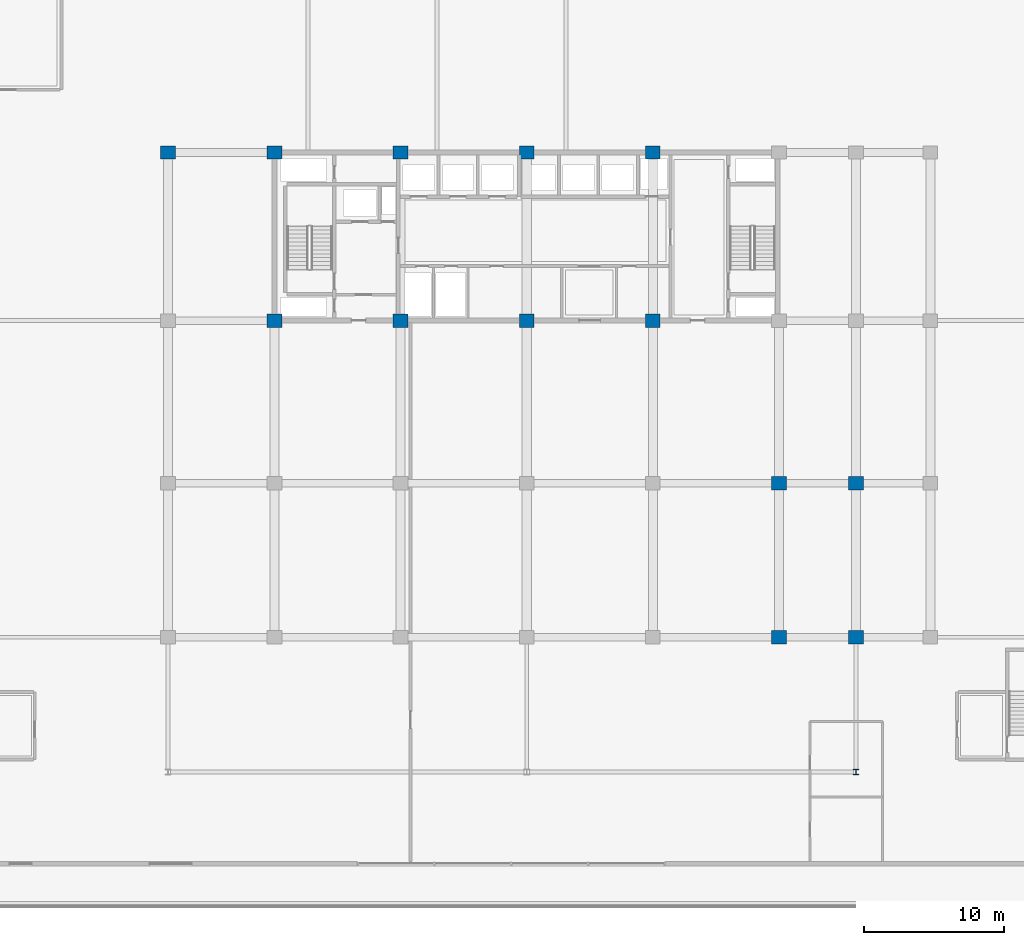
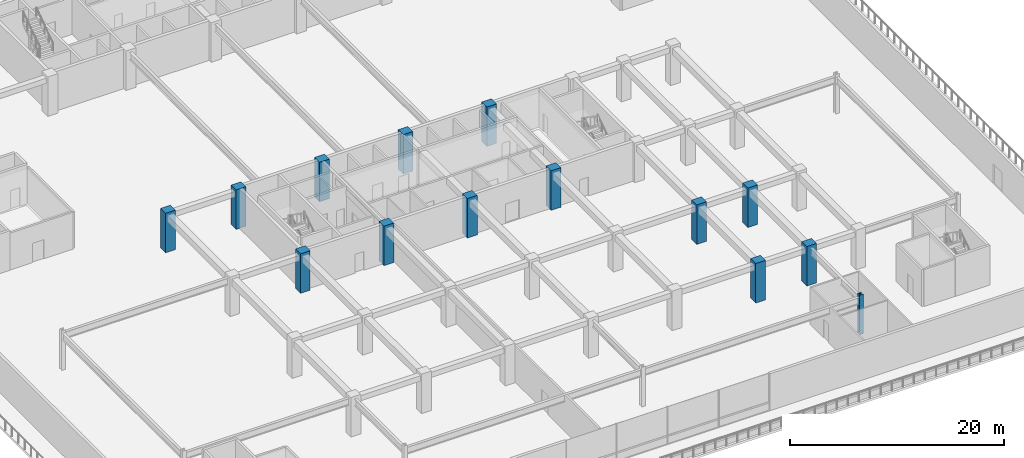
# One storey, part 2 of 43: 14 columns.
"""IFC4 building model written with IfcOpenShell, lengths in metres."""

from ifc_helpers import new_model, si_unit, direction, frame, origin, origin_2d, place, context, subcontext, project, spatial, rectangle, i_section, extrude, material, material_profile, profile_set, type_object, element, save


model = new_model("IFC4")

# Units and contexts
model_context = context("Model", 3, precision=1e-05, world=origin(), true_north=direction((0.0, 1.0)))
body_context = subcontext(model_context, "Body", "Model", "MODEL_VIEW")
ifc_project = project(units=[si_unit("LENGTHUNIT", "METRE"), si_unit("AREAUNIT", "SQUARE_METRE"), si_unit("VOLUMEUNIT", "CUBIC_METRE"), si_unit("PLANEANGLEUNIT", "RADIAN"), si_unit("MASSUNIT", "GRAM", prefix="KILO")], contexts=[model_context])

# Site, building, storey
site_placement = place(None, origin())
site = spatial("IfcSite", under=ifc_project, at=site_placement, CompositionType="ELEMENT")
building_placement = place(site_placement, origin())
building = spatial("IfcBuilding", under=site, at=building_placement, Name="Korimba Cascade Residences", CompositionType="ELEMENT")
storey_placement = place(building_placement, frame((0.0, 0.0, 10.0)))
storey = spatial("IfcBuildingStorey", under=building, at=storey_placement, Name="L02", CompositionType="ELEMENT", Elevation=10.0)

# Columns
ifc_material_1 = material(Name="Concrete C80/95", Category="concrete")
ifc_material_profile_1 = material_profile(ifc_material_1, rectangle(XDim=1.050048828125, YDim=0.949951171875, at=origin_2d()), Name="Concrete C80/95")
ifc_profile_set_1 = profile_set([ifc_material_profile_1], Name="Concrete C80/95")
column_type_1 = type_object("IfcColumnType", Name="COL-RC-1050", PredefinedType="COLUMN", material=ifc_profile_set_1)
for number, where, z_axis, x_axis, name in (
    (1, (74.5, 30.39990234375, 0.0), (0.0, 0.0, 1.0), (1.0, 0.0, 0.0), "L02 Tower 2 Column 1.4"),
    (2, (82.10009765625, 18.39990234375, 0.0), (0.0, 0.0, 1.0), (1.0, 0.0, 0.0), "L02 Tower 2 Column 2.3"),
    (3, (82.10009765625, 30.39990234375, 0.0), (0.0, 0.0, 1.0), (1.0, 0.0, 0.0), "L02 Tower 2 Column 2.4"),
    (4, (91.10009765625, 18.39990234375, 0.0), (0.0, 0.0, 1.0), (1.0, 0.0, 0.0), "L02 Tower 2 Column 3.3"),
    (5, (91.10009765625, 30.39990234375, 0.0), (0.0, 0.0, 1.0), (1.0, 0.0, 0.0), "L02 Tower 2 Column 3.4"),
    (6, (100.10009765625, 18.39990234375, 0.0), (0.0, 0.0, 1.0), (1.0, 0.0, 0.0), "L02 Tower 2 Column 4.3"),
    (7, (100.10009765625, 30.39990234375, 0.0), (0.0, 0.0, 1.0), (1.0, 0.0, 0.0), "L02 Tower 2 Column 4.4"),
    (8, (109.10009765625, 18.39990234375, 0.0), (0.0, 0.0, 1.0), (1.0, 0.0, 0.0), "L02 Tower 2 Column 5.3"),
    (9, (109.10009765625, 30.39990234375, 0.0), (0.0, 0.0, 1.0), (1.0, 0.0, 0.0), "L02 Tower 2 Column 5.4"),
    (10, (118.10009765625, -4.199951171875, 0.0), (0.0, 0.0, 1.0), (1.0, 0.0, 0.0), "L02 Tower 2 Column 6.1"),
    (11, (118.10009765625, 6.800048828125, 0.0), (0.0, 0.0, 1.0), (1.0, 0.0, 0.0), "L02 Tower 2 Column 6.2"),
    (12, (123.60009765625, -4.199951171875, 0.0), (0.0, 0.0, 1.0), (1.0, 0.0, 0.0), "L02 Tower 2 Column 7.1"),
    (13, (123.60009765625, 6.800048828125, 0.0), (0.0, 0.0, 1.0), (1.0, 0.0, 0.0), "L02 Tower 2 Column 7.2"),
):
    element("IfcColumn", number, at=place(storey_placement, frame(where, z_axis=z_axis, x_axis=x_axis)), inside=storey, type_object=column_type_1, Name=name, PredefinedType="COLUMN", context=body_context, shape_type="SweptSolid", body=[
        extrude(rectangle(XDim=1.050048828125, YDim=0.949951171875, at=origin_2d()), origin(), (0.0, 0.0, 1.0), 4.5),
    ])
ifc_material_2 = material(Name="Steel S355", Category="steel")
ifc_material_profile_2 = material_profile(ifc_material_2, i_section(OverallWidth=0.39892578125, OverallDepth=0.3935546875, WebThickness=0.022705078125, FlangeThickness=0.03662109375, FilletRadius=0.01513671875, at=origin_2d()), Name="Steel S355")
ifc_profile_set_2 = profile_set([ifc_material_profile_2], Name="Steel S355")
column_type_2 = type_object("IfcColumnType", Name="COL-STL-UC287", PredefinedType="COLUMN", material=ifc_profile_set_2)
column_placement = place(storey_placement, frame((123.60009765625, -13.800048828125, 0.0), z_axis=(0.0, 0.0, 1.0), x_axis=(1.0, 0.0, 0.0)))
element("IfcColumn", 14, at=column_placement, inside=storey, type_object=column_type_2, Name="L02 Podium Column PCS3", PredefinedType="COLUMN", context=body_context, shape_type="SweptSolid", body=[
    extrude(i_section(OverallWidth=0.39892578125, OverallDepth=0.3935546875, WebThickness=0.022705078125, FlangeThickness=0.03662109375, FilletRadius=0.01513671875, at=origin_2d()), origin(), (0.0, 0.0, 1.0), 4.5),
])

save(model, "model.ifc")
